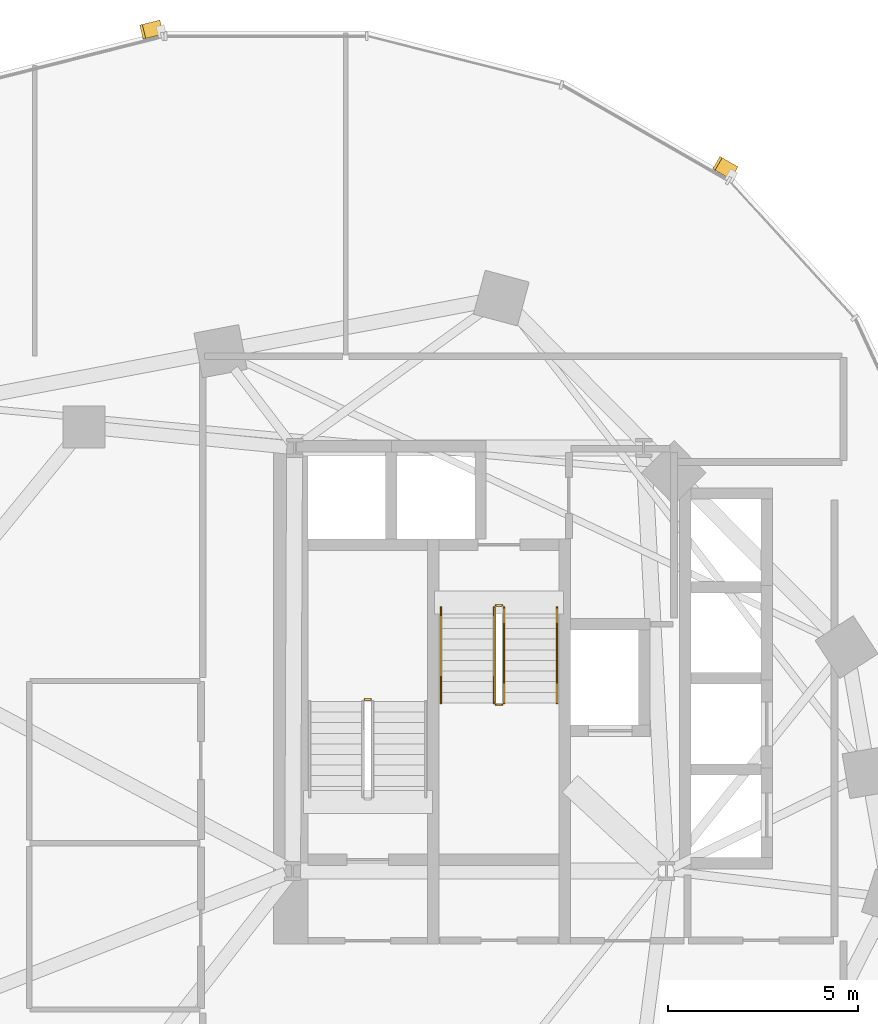
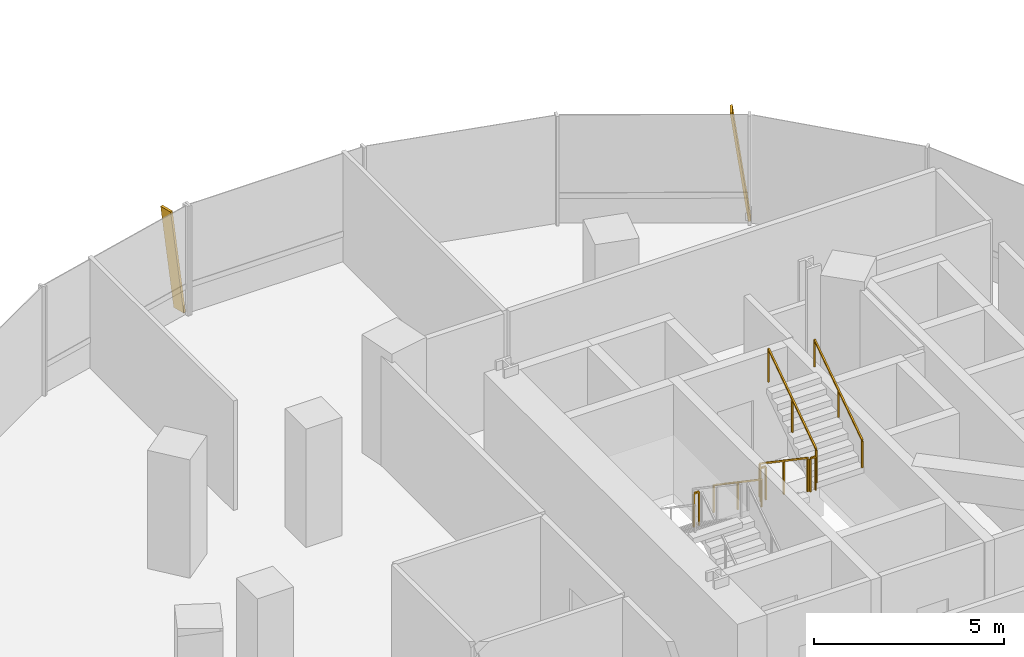
# One storey, part 19 of 21: 7 railings, 2 shading devices.
"""IFC4 building model written with IfcOpenShell, lengths in metres."""

import ifcopenshell
import ifcopenshell.guid

model = None  # the IFC model being written
_history = None  # IfcOwnerHistory: only IFC2X3 demands one
_inside = {}  # id of a spatial element -> (the spatial element, [elements in it])
_under = {}  # id of a project, library or spatial element -> (it, [spatial elements below it])
_declared = {}  # id of a project -> (the project, [libraries it declares])
_typed = {}  # id of a type object -> (the type object, [elements of that type])
_made_of = {}  # id of a material, layer set ... -> (it, [elements and type objects made of it])


def new_model(schema):
    """Start an empty IFC model of exactly this schema.

    Asked for "IFC4X3", IfcOpenShell would pick the latest addendum, in which some entities
    have other attributes; the version numbers below select the first issue.
    IFC2X3 requires an IfcOwnerHistory on every rooted entity: one is made here for all.
    """
    global model, _history
    if schema == "IFC4X3":
        model = ifcopenshell.file(schema_version=(4, 3, 0, 0))
    else:
        model = ifcopenshell.file(schema=schema)
    _inside.clear()
    _under.clear()
    _declared.clear()
    _typed.clear()
    _made_of.clear()
    _history = None
    if model.schema == "IFC2X3":
        org = make("IfcOrganization", Name="unknown")
        user = make(
            "IfcPersonAndOrganization",
            ThePerson=make("IfcPerson", FamilyName="unknown"),
            TheOrganization=org,
        )
        app = make(
            "IfcApplication",
            ApplicationDeveloper=org,
            Version="unknown",
            ApplicationFullName="unknown",
            ApplicationIdentifier="unknown",
        )
        _history = make(
            "IfcOwnerHistory",
            OwningUser=user,
            OwningApplication=app,
            ChangeAction="ADDED",
            CreationDate=0,
        )
    return model


def make(cls, **values):
    """One entity of the class cls with the attributes given. An attribute that is None is left unset."""
    return model.create_entity(
        cls, **{name: value for name, value in values.items() if value is not None}
    )


def rooted(cls, **values):
    """An entity with a GlobalId (a new one), such as an element, a storey or a relation."""
    return make(cls, GlobalId=ifcopenshell.guid.new(), OwnerHistory=_history, **values)


def si_unit(unit_type, name, prefix=None):
    """IfcSIUnit, for example si_unit("LENGTHUNIT", "METRE", prefix="MILLI")."""
    return make("IfcSIUnit", UnitType=unit_type, Prefix=prefix, Name=name)


def assignment(units):
    """IfcUnitAssignment: the units of a project."""
    return None if units is None else make("IfcUnitAssignment", Units=units)


def point(xyz):
    """IfcCartesianPoint."""
    return None if xyz is None else make("IfcCartesianPoint", Coordinates=xyz)


def direction(xyz):
    """IfcDirection."""
    return None if xyz is None else make("IfcDirection", DirectionRatios=xyz)


def frame(location, z_axis=None, x_axis=None):
    """IfcAxis2Placement3D, a coordinate frame: its origin and axes. An axis left out is left unset."""
    return make(
        "IfcAxis2Placement3D",
        Location=point(location),
        Axis=direction(z_axis),
        RefDirection=direction(x_axis),
    )


def frame_2d(location, x_axis=None):
    """IfcAxis2Placement2D, a coordinate frame in the plane: its origin and x axis."""
    return make(
        "IfcAxis2Placement2D", Location=point(location), RefDirection=direction(x_axis)
    )


def origin():
    """The frame at (0, 0, 0) with its axes left unset."""
    return frame((0.0, 0.0, 0.0))


def origin_2d():
    """The frame at (0, 0) in the plane with its x axis left unset."""
    return frame_2d((0.0, 0.0))


def place(relative_to, where):
    """IfcLocalPlacement: puts the frame where relative to a parent placement (None: the world)."""
    return make(
        "IfcLocalPlacement", PlacementRelTo=relative_to, RelativePlacement=where
    )


def context(
    kind, dimensions, precision=None, world=None, true_north=None, identifier=None
):
    """IfcGeometricRepresentationContext, for example the 3D "Model" context."""
    return make(
        "IfcGeometricRepresentationContext",
        ContextIdentifier=identifier,
        ContextType=kind,
        CoordinateSpaceDimension=dimensions,
        Precision=precision,
        WorldCoordinateSystem=world,
        TrueNorth=true_north,
    )


def subcontext(parent, identifier, kind, view, scale=None):
    """IfcGeometricRepresentationSubContext, for example "Body" below "Model"."""
    return make(
        "IfcGeometricRepresentationSubContext",
        ContextIdentifier=identifier,
        ContextType=kind,
        ParentContext=parent,
        TargetScale=scale,
        TargetView=view,
    )


def project(units=None, contexts=None):
    """IfcProject with its units and contexts."""
    return rooted(
        "IfcProject",
        Name="project",
        RepresentationContexts=contexts,
        UnitsInContext=assignment(units),
    )


def spatial(cls, under=None, at=None, **own):
    """A site, building, storey or space (cls), placed at a placement, below another one or the project."""
    s = rooted(cls, ObjectPlacement=at, **own)
    if under is not None:
        _under.setdefault(under.id(), (under, []))[1].append(s)
    return s


def profile(cls, at=None, kind="AREA", **sizes):
    """A parametric profile (cls). Its sizes go by their IFC names, for example OverallWidth=200.0."""
    return make(cls, ProfileType=kind, Position=at, **sizes)


def rectangle(**sizes):
    """IfcRectangleProfileDef."""
    return profile("IfcRectangleProfileDef", **sizes)


def extrude(swept, where, along, depth):
    """IfcExtrudedAreaSolid: the profile swept, set in the frame where, extruded along a direction by depth."""
    return make(
        "IfcExtrudedAreaSolid",
        SweptArea=swept,
        Position=where,
        ExtrudedDirection=direction(along),
        Depth=depth,
    )


def shape(context_of_items, identifier, shape_type, items):
    """IfcShapeRepresentation: the items that make up one representation, for example the "Body"."""
    return make(
        "IfcShapeRepresentation",
        ContextOfItems=context_of_items,
        RepresentationIdentifier=identifier,
        RepresentationType=shape_type,
        Items=items,
    )


def material(Name=None, Category=None):
    """IfcMaterial."""
    return make("IfcMaterial", Name=Name, Category=Category)


def material_profile(
    of_material, cross_section, Name=None, Category=None, Priority=None
):
    """IfcMaterialProfile: a cross section and its material."""
    return make(
        "IfcMaterialProfile",
        Name=Name,
        Material=of_material,
        Profile=cross_section,
        Priority=Priority,
        Category=Category,
    )


def profile_set(profiles, Name=None, composite=None):
    """IfcMaterialProfileSet."""
    return make(
        "IfcMaterialProfileSet",
        Name=Name,
        MaterialProfiles=profiles,
        CompositeProfile=composite,
    )


def made_of(thing, what):
    """Note that an element or type object is made of a material, layer set ...; save() writes the relation."""
    if what is not None:
        _made_of.setdefault(what.id(), (what, []))[1].append(thing)
    return thing


def type_object(cls, material=None, **own):
    """A type object (cls), such as IfcWallType, which elements share."""
    return made_of(rooted(cls, **own), material)


def element(
    cls,
    number,
    at=None,
    inside=None,
    cuts=None,
    type_object=None,
    material=None,
    context=None,
    identifier="Body",
    shape_type=None,
    held_by="IfcProductDefinitionShape",
    body=None,
    shapes=None,
    **own,
):
    """One element of the class cls, such as IfcWall. Its Tag is "e" and its number.

    at: its placement. inside: the storey or other place that contains it. cuts: it is an
    opening in that element (IfcRelVoidsElement). A single representation is given by context,
    identifier, shape_type and body (its items); several are given by shapes. held_by: the class
    of the entity that holds the representations. save() writes the other relations.
    """
    e = rooted(cls, Tag="e%d" % number, ObjectPlacement=at, **own)
    if body is not None:
        shapes = [shape(context, identifier, shape_type, body)]
    if shapes is not None:
        e.Representation = make(held_by, Representations=shapes)
    if inside is not None:
        _inside.setdefault(inside.id(), (inside, []))[1].append(e)
    if cuts is not None:
        rooted(
            "IfcRelVoidsElement", RelatingBuildingElement=cuts, RelatedOpeningElement=e
        )
    if type_object is not None:
        _typed.setdefault(type_object.id(), (type_object, []))[1].append(e)
    return made_of(e, material)


def aggregate(whole, parts):
    """IfcRelAggregates: a whole, such as a stair, and the parts it consists of."""
    return rooted("IfcRelAggregates", RelatingObject=whole, RelatedObjects=parts)


def save(model, path):
    """Write the relations noted so far, then the file.

    IfcRelAggregates (storeys below a building ...), IfcRelContainedInSpatialStructure (elements
    in a storey), IfcRelDefinesByType, IfcRelAssociatesMaterial and IfcRelDeclares: one each for
    every whole, place, type object, material and project.
    """
    for whole, parts in _under.values():
        aggregate(whole, parts)
    for where, things in _inside.values():
        rooted(
            "IfcRelContainedInSpatialStructure",
            RelatedElements=things,
            RelatingStructure=where,
        )
    for kind, things in _typed.values():
        rooted("IfcRelDefinesByType", RelatedObjects=things, RelatingType=kind)
    for what, things in _made_of.values():
        rooted("IfcRelAssociatesMaterial", RelatedObjects=things, RelatingMaterial=what)
    for by, libraries in _declared.values():
        rooted("IfcRelDeclares", RelatingContext=by, RelatedDefinitions=libraries)
    model.write(path)


model = new_model("IFC4")

# Units and contexts
model_context = context("Model", 3, precision=1e-05, world=origin(), true_north=direction((0.0, 1.0)))
body_context = subcontext(model_context, "Body", "Model", "MODEL_VIEW")
ifc_project = project(units=[si_unit("LENGTHUNIT", "METRE"), si_unit("AREAUNIT", "SQUARE_METRE"), si_unit("VOLUMEUNIT", "CUBIC_METRE"), si_unit("PLANEANGLEUNIT", "RADIAN"), si_unit("MASSUNIT", "GRAM", prefix="KILO"), si_unit("THERMODYNAMICTEMPERATUREUNIT", "KELVIN"), si_unit("POWERUNIT", "WATT")], contexts=[model_context])

# Site, building, storey
site_placement = place(None, origin())
site = spatial("IfcSite", under=ifc_project, at=site_placement, CompositionType="ELEMENT")
building_placement = place(site_placement, origin())
building = spatial("IfcBuilding", under=site, at=building_placement, Name="Cundina Bronze Exchange", CompositionType="ELEMENT")
storey_placement = place(building_placement, frame((0.0, 0.0, 73.39990234375)))
storey = spatial("IfcBuildingStorey", under=building, at=storey_placement, Name="L18", CompositionType="ELEMENT", Elevation=73.39990234375)

# Railings
ifc_material_1 = material(Name="Steel ASTM A36 Painted", Category="steel")
railing_type_1 = type_object("IfcRailingType", Name="RLG-HND-900", PredefinedType="HANDRAIL", material=ifc_material_1)
railing_1_placement = place(storey_placement, frame((-27.389892578125, 10.85009765625, 0.190185546875)))
element("IfcRailing", 1, at=railing_1_placement, inside=storey, type_object=railing_type_1, Name="L18 ST-W2 stair handrail 1", PredefinedType="HANDRAIL", context=body_context, shape_type="SweptSolid", body=[
    extrude(rectangle(XDim=0.048095703125, YDim=0.048095703125, at=origin_2d()), frame((0.0, 0.0, 0.8759765625), z_axis=(0.0, -0.827483756001, 0.561489655786), x_axis=(1.0, 0.0, 0.0)), (0.0, 0.0, 1.0), 3.04541015625),
    extrude(rectangle(XDim=0.0419921875, YDim=0.0419921875, at=origin_2d()), origin(), (0.0, 0.0, 1.0), 0.851806640625),
    extrude(rectangle(XDim=0.0419921875, YDim=0.0419921875, at=origin_2d()), frame((0.0, -1.260009765625, 0.85498046875)), (0.0, 0.0, 1.0), 0.851806640625),
    extrude(rectangle(XDim=0.0419921875, YDim=0.0419921875, at=origin_2d()), frame((0.0, -2.52001953125, 1.7099609375)), (0.0, 0.0, 1.0), 0.851806640625),
])
railing_2_placement = place(storey_placement, frame((-24.330078125, 8.330078125, 2.090087890625)))
element("IfcRailing", 2, at=railing_2_placement, inside=storey, type_object=railing_type_1, Name="L18 ST-W2 stair handrail 2", PredefinedType="HANDRAIL", context=body_context, shape_type="SweptSolid", body=[
    extrude(rectangle(XDim=0.048095703125, YDim=0.048095703125, at=origin_2d()), frame((0.0, 0.0, 0.8759765625), z_axis=(0.0, 0.827483756001, 0.561489655786), x_axis=(-1.0, 0.0, 0.0)), (0.0, 0.0, 1.0), 3.04541015625),
    extrude(rectangle(XDim=0.0419921875, YDim=0.0419921875, at=origin_2d()), origin(), (0.0, 0.0, 1.0), 0.851806640625),
    extrude(rectangle(XDim=0.0419921875, YDim=0.0419921875, at=origin_2d()), frame((0.0, 1.260009765625, 0.85498046875)), (0.0, 0.0, 1.0), 0.851806640625),
    extrude(rectangle(XDim=0.0419921875, YDim=0.0419921875, at=origin_2d()), frame((0.0, 2.52001953125, 1.7099609375)), (0.0, 0.0, 1.0), 0.851806640625),
])
railing_type_2 = type_object("IfcRailingType", Name="RLG-STG-1100", PredefinedType="GUARDRAIL", material=ifc_material_1)
railing_3_placement = place(storey_placement, frame((-29.239990234375, 8.419921875, 1.900146484375)))
element("IfcRailing", 3, at=railing_3_placement, inside=storey, type_object=railing_type_2, Name="L18 ST-W1 stair guard 2", PredefinedType="GUARDRAIL", context=body_context, shape_type="SweptSolid", body=[
    extrude(rectangle(XDim=0.048095703125, YDim=0.048095703125, at=origin_2d()), frame((0.0, 0.0, 1.076171875), z_axis=(-1.0, 0.0, 0.0), x_axis=(0.0, -1.0, 0.0)), (0.0, 0.0, 1.0), 0.159912109375),
    extrude(rectangle(XDim=0.0419921875, YDim=0.0419921875, at=origin_2d()), origin(), (0.0, 0.0, 1.0), 1.052001953125),
    extrude(rectangle(XDim=0.0419921875, YDim=0.0419921875, at=origin_2d()), frame((-0.159912109375, 0.0, 0.0)), (0.0, 0.0, 1.0), 1.052001953125),
])
railing_4_placement = place(storey_placement, frame((-25.989990234375, 10.85009765625, 0.190185546875)))
element("IfcRailing", 4, at=railing_4_placement, inside=storey, type_object=railing_type_2, Name="L18 ST-W2 stair guard 1", PredefinedType="GUARDRAIL", context=body_context, shape_type="SweptSolid", body=[
    extrude(rectangle(XDim=0.048095703125, YDim=0.048095703125, at=origin_2d()), frame((0.0, 0.0, 1.076171875), z_axis=(0.0, -0.827483756001, 0.561489655786), x_axis=(1.0, 0.0, 0.0)), (0.0, 0.0, 1.0), 3.04541015625),
    extrude(rectangle(XDim=0.0419921875, YDim=0.0419921875, at=origin_2d()), origin(), (0.0, 0.0, 1.0), 1.052001953125),
    extrude(rectangle(XDim=0.0419921875, YDim=0.0419921875, at=origin_2d()), frame((0.0, -1.260009765625, 0.85498046875)), (0.0, 0.0, 1.0), 1.052001953125),
    extrude(rectangle(XDim=0.0419921875, YDim=0.0419921875, at=origin_2d()), frame((0.0, -2.52001953125, 1.7099609375)), (0.0, 0.0, 1.0), 1.052001953125),
])
railing_5_placement = place(storey_placement, frame((-25.93994140625, 8.280029296875, 1.900146484375)))
element("IfcRailing", 5, at=railing_5_placement, inside=storey, type_object=railing_type_2, Name="L18 ST-W2 stair guard 2", PredefinedType="GUARDRAIL", context=body_context, shape_type="SweptSolid", body=[
    extrude(rectangle(XDim=0.048095703125, YDim=0.048095703125, at=origin_2d()), frame((0.0, 0.0, 1.076171875), z_axis=(1.0, 0.0, 0.0), x_axis=(0.0, 1.0, 0.0)), (0.0, 0.0, 1.0), 0.159912109375),
    extrude(rectangle(XDim=0.0419921875, YDim=0.0419921875, at=origin_2d()), origin(), (0.0, 0.0, 1.0), 1.052001953125),
    extrude(rectangle(XDim=0.0419921875, YDim=0.0419921875, at=origin_2d()), frame((0.159912109375, 0.0, 0.0)), (0.0, 0.0, 1.0), 1.052001953125),
])
railing_6_placement = place(storey_placement, frame((-25.72998046875, 8.330078125, 2.090087890625)))
element("IfcRailing", 6, at=railing_6_placement, inside=storey, type_object=railing_type_2, Name="L18 ST-W2 stair guard 3", PredefinedType="GUARDRAIL", context=body_context, shape_type="SweptSolid", body=[
    extrude(rectangle(XDim=0.048095703125, YDim=0.048095703125, at=origin_2d()), frame((0.0, 0.0, 1.076171875), z_axis=(0.0, 0.827483756001, 0.561489655786), x_axis=(-1.0, 0.0, 0.0)), (0.0, 0.0, 1.0), 3.04541015625),
    extrude(rectangle(XDim=0.0419921875, YDim=0.0419921875, at=origin_2d()), origin(), (0.0, 0.0, 1.0), 1.052001953125),
    extrude(rectangle(XDim=0.0419921875, YDim=0.0419921875, at=origin_2d()), frame((0.0, 1.260009765625, 0.85498046875)), (0.0, 0.0, 1.0), 1.052001953125),
    extrude(rectangle(XDim=0.0419921875, YDim=0.0419921875, at=origin_2d()), frame((0.0, 2.52001953125, 1.7099609375)), (0.0, 0.0, 1.0), 1.052001953125),
])
railing_7_placement = place(storey_placement, frame((-25.93994140625, 10.89990234375, 0.0)))
element("IfcRailing", 7, at=railing_7_placement, inside=storey, type_object=railing_type_2, Name="L18 ST-W2 stair guard 4", PredefinedType="GUARDRAIL", context=body_context, shape_type="SweptSolid", body=[
    extrude(rectangle(XDim=0.048095703125, YDim=0.048095703125, at=origin_2d()), frame((0.0, 0.0, 1.076171875), z_axis=(1.0, 0.0, 0.0), x_axis=(0.0, 1.0, 0.0)), (0.0, 0.0, 1.0), 0.159912109375),
    extrude(rectangle(XDim=0.0419921875, YDim=0.0419921875, at=origin_2d()), origin(), (0.0, 0.0, 1.0), 1.052001953125),
    extrude(rectangle(XDim=0.0419921875, YDim=0.0419921875, at=origin_2d()), frame((0.159912109375, 0.0, 0.0)), (0.0, 0.0, 1.0), 1.052001953125),
])

# Shading devices
ifc_material_2 = material(Name="Anodised Bronze Aluminium 6063-T6", Category="aluminium")
ifc_material_profile = material_profile(ifc_material_2, rectangle(XDim=0.070068359375, YDim=0.3798828125, at=origin_2d()), Name="FIN70X380", Category="aluminium")
ifc_profile_set = profile_set([ifc_material_profile], Name="Anodised Bronze Aluminium 6063-T6")
shading_device_type = type_object("IfcShadingDeviceType", Name="SHD-FIN-BRZ380", PredefinedType="USERDEFINED", material=ifc_profile_set)
for number, where, z_axis, x_axis, name in (
    (8, (-19.685791015625, 22.314208984375, 0.02001953125), (-0.118493676653, 0.068038304659, 0.990621036367), (0.859074841637, -0.49327523165, 0.136638070491), "L18 Diagonal Bronze Solar Fin 5"),
    (9, (-34.787353515625, 26.138427734375, 0.02001953125), (-0.132462823811, -0.033497943902, 0.990621768417), (0.960388664093, 0.242868486932, 0.136632763046), "L18 Diagonal Bronze Solar Fin 1"),
):
    element("IfcShadingDevice", number, at=place(storey_placement, frame(where, z_axis=z_axis, x_axis=x_axis)), inside=storey, type_object=shading_device_type, Name=name, ObjectType="FIN", PredefinedType="USERDEFINED", context=body_context, shape_type="SweptSolid", body=[
        extrude(rectangle(XDim=0.070068359375, YDim=0.3798828125, at=origin_2d()), origin(), (0.0, 0.0, 1.0), 3.512939453125),
    ])

save(model, "model.ifc")
